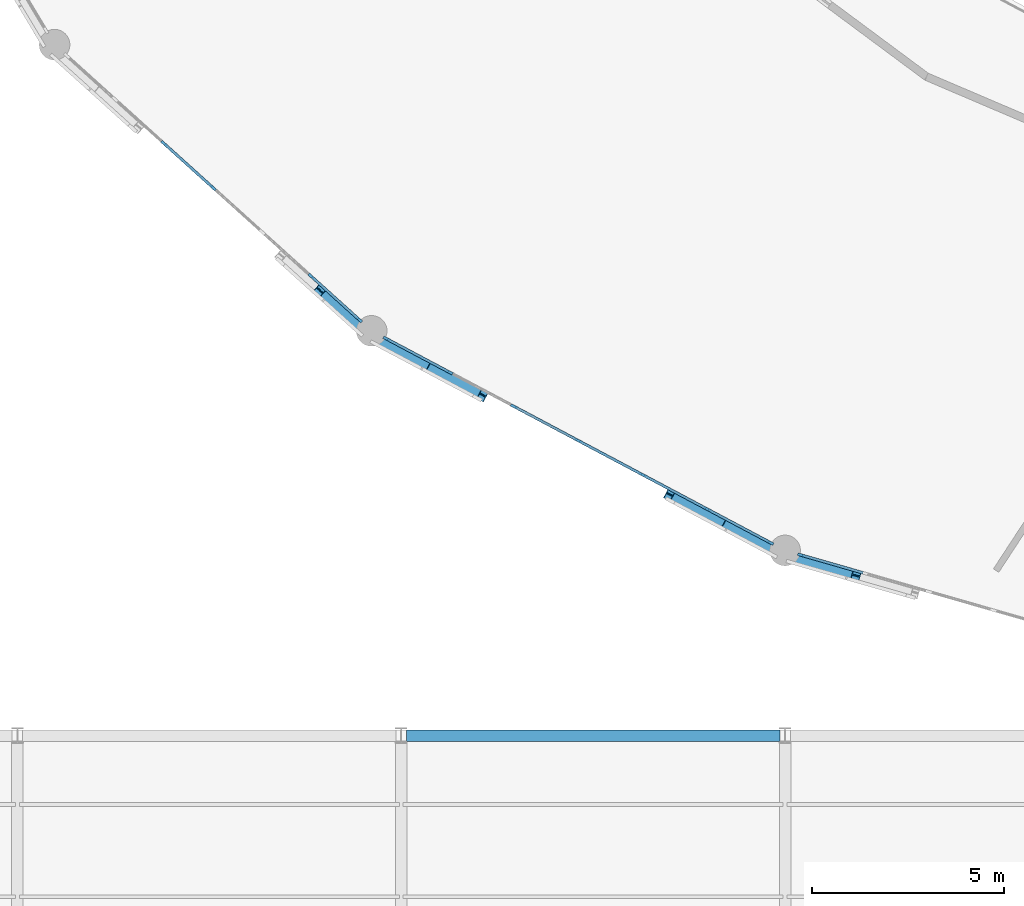
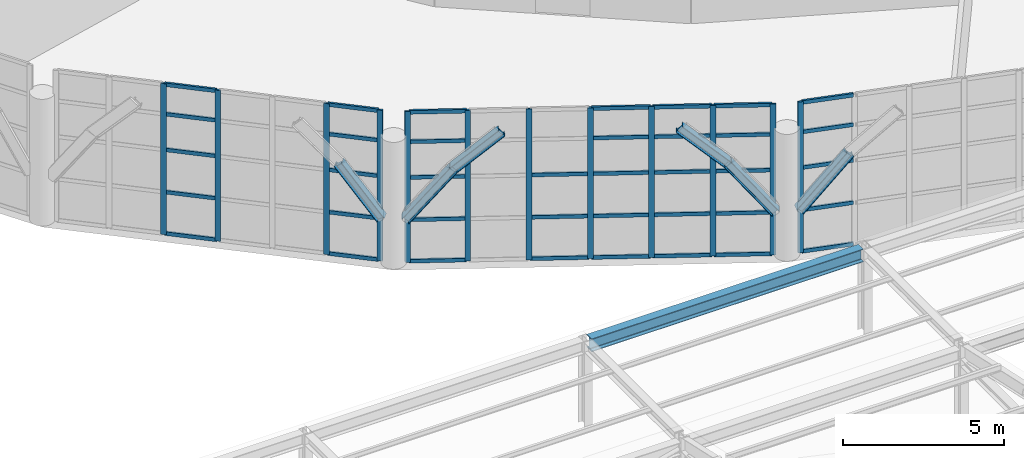
# One storey, part 19 of 109: 50 members, 7 beams, 3 elements without a shape of their own.
"""IFC4 building model written with IfcOpenShell, lengths in metres."""

from ifc_helpers import new_model, si_unit, direction, frame, origin, origin_2d, place, context, subcontext, project, spatial, rectangle, i_section, extrude, material, layer, layer_set, material_profile, profile_set, type_object, element, aggregate, save


model = new_model("IFC4")

# Units and contexts
model_context = context("Model", 3, precision=1e-05, world=origin(), true_north=direction((0.0, 1.0)))
body_context = subcontext(model_context, "Body", "Model", "MODEL_VIEW")
ifc_project = project(units=[si_unit("LENGTHUNIT", "METRE"), si_unit("AREAUNIT", "SQUARE_METRE"), si_unit("VOLUMEUNIT", "CUBIC_METRE"), si_unit("PLANEANGLEUNIT", "RADIAN"), si_unit("MASSUNIT", "GRAM", prefix="KILO")], contexts=[model_context])

# Site, building, storey
site_placement = place(None, origin())
site = spatial("IfcSite", under=ifc_project, at=site_placement, CompositionType="ELEMENT")
building_placement = place(site_placement, origin())
building = spatial("IfcBuilding", under=site, at=building_placement, Name="Kivolera Central Railway Station", CompositionType="ELEMENT")
storey_placement = place(building_placement, frame((0.0, 0.0, 9.60009765625)))
storey = spatial("IfcBuildingStorey", under=building, at=storey_placement, Name="L02", CompositionType="ELEMENT", Elevation=9.60009765625)

# Beams
ifc_material_1 = material(Name="Steel S355", Category="steel")
ifc_material_profile_1 = material_profile(ifc_material_1, i_section(OverallWidth=0.300048828125, OverallDepth=0.300048828125, WebThickness=0.010986328125, FlangeThickness=0.01904296875, FilletRadius=0.027099609375, at=origin_2d()), Name="HEB 300")
ifc_profile_set_1 = profile_set([ifc_material_profile_1], Name="Steel S355")
beam_type_1 = type_object("IfcBeamType", Name="BM-LANT-ARCH", PredefinedType="SPANDREL", material=ifc_profile_set_1)
beam_1_placement = place(storey_placement, frame((25.8798828125, 65.60009765625, 3.599853515625), z_axis=(0.431185404632, -0.388705114828, -0.814240431653), x_axis=(0.669571929078, 0.742747219309, 0.0)))
element("IfcBeam", 1, at=beam_1_placement, inside=storey, type_object=beam_type_1, Name="Oval Lantern Structural Arch Rib 15.6", PredefinedType="SPANDREL", context=body_context, shape_type="SweptSolid", body=[
    extrude(i_section(OverallWidth=0.300048828125, OverallDepth=0.300048828125, WebThickness=0.010986328125, FlangeThickness=0.01904296875, FilletRadius=0.027099609375, at=origin_2d()), origin(), (0.0, 0.0, 1.0), 2.333251953125),
])
beam_2_placement = place(storey_placement, frame((27.487060546875, 64.27099609375, 1.699951171875), z_axis=(0.545793526842, -0.289668648918, 0.786257909271), x_axis=(0.468796526023, 0.883306185413, 0.0)))
element("IfcBeam", 2, at=beam_2_placement, inside=storey, type_object=beam_type_1, Name="Oval Lantern Structural Arch Rib 16.1", PredefinedType="SPANDREL", context=body_context, shape_type="SweptSolid", body=[
    extrude(i_section(OverallWidth=0.300048828125, OverallDepth=0.300048828125, WebThickness=0.010986328125, FlangeThickness=0.01904296875, FilletRadius=0.027099609375, at=origin_2d()), origin(), (0.0, 0.0, 1.0), 2.41650390625),
])
beam_3_placement = place(storey_placement, frame((28.805908203125, 63.571044921875, 3.599853515625), z_axis=(0.652784182999, -0.346644240166, 0.673580419242), x_axis=(0.468999731448, 0.883198308367, 0.0)))
element("IfcBeam", 3, at=beam_3_placement, inside=storey, type_object=beam_type_1, Name="Oval Lantern Structural Arch Rib 16.2", PredefinedType="SPANDREL", context=body_context, shape_type="SweptSolid", body=[
    extrude(i_section(OverallWidth=0.300048828125, OverallDepth=0.300048828125, WebThickness=0.010986328125, FlangeThickness=0.01904296875, FilletRadius=0.027099609375, at=origin_2d()), origin(), (0.0, 0.0, 1.0), 2.019287109375),
])
beam_4_placement = place(storey_placement, frame((34.992919921875, 60.283935546875, 4.9599609375), z_axis=(0.65306159566, -0.346534813022, -0.673367786308), x_axis=(0.468728824497, 0.883342113275, 0.0)))
element("IfcBeam", 4, at=beam_4_placement, inside=storey, type_object=beam_type_1, Name="Oval Lantern Structural Arch Rib 16.5", PredefinedType="SPANDREL", context=body_context, shape_type="SweptSolid", body=[
    extrude(i_section(OverallWidth=0.300048828125, OverallDepth=0.300048828125, WebThickness=0.010986328125, FlangeThickness=0.01904296875, FilletRadius=0.027099609375, at=origin_2d()), origin(), (0.0, 0.0, 1.0), 2.019775390625),
])
beam_5_placement = place(storey_placement, frame((36.31201171875, 59.583984375, 3.599853515625), z_axis=(0.545509681166, -0.289732540923, -0.786431333611), x_axis=(0.469067500221, 0.88316231817, 0.0)))
element("IfcBeam", 5, at=beam_5_placement, inside=storey, type_object=beam_type_1, Name="Oval Lantern Structural Arch Rib 16.6", PredefinedType="SPANDREL", context=body_context, shape_type="SweptSolid", body=[
    extrude(i_section(OverallWidth=0.300048828125, OverallDepth=0.300048828125, WebThickness=0.010986328125, FlangeThickness=0.01904296875, FilletRadius=0.027099609375, at=origin_2d()), origin(), (0.0, 0.0, 1.0), 2.415771484375),
])
beam_6_placement = place(storey_placement, frame((38.30810546875, 58.610107421875, 1.699951171875), z_axis=(0.620136976598, -0.177813183125, 0.764076306505), x_axis=(0.275625562891, 0.961265077427, 0.0)))
element("IfcBeam", 6, at=beam_6_placement, inside=storey, type_object=beam_type_1, Name="Oval Lantern Structural Arch Rib 17.1", PredefinedType="SPANDREL", context=body_context, shape_type="SweptSolid", body=[
    extrude(i_section(OverallWidth=0.300048828125, OverallDepth=0.300048828125, WebThickness=0.010986328125, FlangeThickness=0.01904296875, FilletRadius=0.027099609375, at=origin_2d()), origin(), (0.0, 0.0, 1.0), 2.486572265625),
])
ifc_material_profile_2 = material_profile(ifc_material_1, i_section(OverallWidth=0.300048828125, OverallDepth=0.489990234375, WebThickness=0.011962890625, FlangeThickness=0.02294921875, FilletRadius=0.027099609375, at=origin_2d()), Name="HEA 500")
ifc_profile_set_2 = profile_set([ifc_material_profile_2], Name="Steel S355")
beam_type_2 = type_object("IfcBeamType", Name="BM-SHD-HEA500", PredefinedType="BEAM", material=ifc_profile_set_2)
beam_7_placement = place(storey_placement, frame((28.136962890625, 54.0, 3.0048828125), z_axis=(1.0, 0.0, 0.0), x_axis=(0.0, 1.0, 0.0)))
element("IfcBeam", 7, at=beam_7_placement, inside=storey, type_object=beam_type_2, Name="Train Shed Eave Girder E:3-4", PredefinedType="BEAM", context=body_context, shape_type="SweptSolid", body=[
    extrude(i_section(OverallWidth=0.300048828125, OverallDepth=0.489990234375, WebThickness=0.011962890625, FlangeThickness=0.02294921875, FilletRadius=0.027099609375, at=origin_2d()), origin(), (0.0, 0.0, 1.0), 9.72607421875),
])

# Curtain wall, members
ifc_material_2 = material(Name="Anodised aluminium", Category="aluminium")
ifc_layer_1 = layer(ifc_material_2, 0.179931640625, Name="Anodised aluminium")
ifc_layer_set_1 = layer_set([ifc_layer_1], Name="Anodised aluminium")
curtain_wall_type_1 = type_object("IfcCurtainWallType", Name="CW-SYS-06", PredefinedType="NOTDEFINED", material=ifc_layer_set_1)
curtain_wall_1_placement = place(storey_placement, origin())
curtain_wall_1 = element("IfcCurtainWall", 8, at=curtain_wall_1_placement, inside=storey, type_object=curtain_wall_type_1, Name="L02 Curtain Wall CW-L02-OVL-14", PredefinedType="NOTDEFINED")
ifc_material_profile_3 = material_profile(ifc_material_2, rectangle(XDim=0.070068359375, YDim=0.179931640625, at=origin_2d()), Name="ALU MULL 70x180")
ifc_profile_set_3 = profile_set([ifc_material_profile_3], Name="Anodised aluminium")
member_type_1 = type_object("IfcMemberType", Name="CWM-MUL-1", PredefinedType="MULLION", material=ifc_profile_set_3)
member_1_placement = place(storey_placement, frame((26.906982421875, 64.83544921875, -0.005126953125), z_axis=(0.0, 0.0, 1.0), x_axis=(-0.66992157428, -0.742431871833, 0.0)))
member_1 = element("IfcMember", 9, at=member_1_placement, type_object=member_type_1, Name="CW-06 mullion 1", PredefinedType="MULLION", context=body_context, shape_type="SweptSolid", body=[
    extrude(rectangle(XDim=0.070068359375, YDim=0.179931640625, at=origin_2d()), origin(), (0.0, 0.0, 1.0), 5.705078125),
])
member_2_placement = place(storey_placement, frame((25.65478515625, 65.96533203125, -0.005126953125), z_axis=(0.0, 0.0, 1.0), x_axis=(-0.66992157428, -0.742431871833, 0.0)))
member_2 = element("IfcMember", 10, at=member_2_placement, type_object=member_type_1, Name="CW-06 mullion 2", PredefinedType="MULLION", context=body_context, shape_type="SweptSolid", body=[
    extrude(rectangle(XDim=0.070068359375, YDim=0.179931640625, at=origin_2d()), origin(), (0.0, 0.0, 1.0), 5.705078125),
])
member_3_placement = place(storey_placement, frame((23.098388671875, 68.27197265625, -0.005126953125), z_axis=(0.0, 0.0, 1.0), x_axis=(-0.66992157428, -0.742431871833, 0.0)))
member_3 = element("IfcMember", 11, at=member_3_placement, type_object=member_type_1, Name="CW-06 mullion 4", PredefinedType="MULLION", context=body_context, shape_type="SweptSolid", body=[
    extrude(rectangle(XDim=0.070068359375, YDim=0.179931640625, at=origin_2d()), origin(), (0.0, 0.0, 1.0), 5.705078125),
])
member_4_placement = place(storey_placement, frame((21.8203125, 69.42529296875, -0.005126953125), z_axis=(0.0, 0.0, 1.0), x_axis=(-0.66992157428, -0.742431871833, 0.0)))
member_4 = element("IfcMember", 12, at=member_4_placement, type_object=member_type_1, Name="CW-06 mullion 5", PredefinedType="MULLION", context=body_context, shape_type="SweptSolid", body=[
    extrude(rectangle(XDim=0.070068359375, YDim=0.179931640625, at=origin_2d()), origin(), (0.0, 0.0, 1.0), 5.705078125),
])

ifc_layer_2 = layer(ifc_material_2, 0.179931640625, Name="Anodised aluminium")
ifc_layer_set_2 = layer_set([ifc_layer_2], Name="Anodised aluminium")
curtain_wall_type_2 = type_object("IfcCurtainWallType", Name="CW-SYS-09", PredefinedType="NOTDEFINED", material=ifc_layer_set_2)
curtain_wall_2_placement = place(storey_placement, origin())
curtain_wall_2 = element("IfcCurtainWall", 13, at=curtain_wall_2_placement, inside=storey, type_object=curtain_wall_type_2, Name="L02 Curtain Wall CW-L02-OVL-15", PredefinedType="NOTDEFINED")
member_5_placement = place(storey_placement, frame((37.6162109375, 59.02734375, -0.005126953125), z_axis=(0.0, 0.0, 1.0), x_axis=(-0.469052563023, -0.883170251493, 0.0)))
member_5 = element("IfcMember", 14, at=member_5_placement, type_object=member_type_1, Name="CW-09 mullion 1", PredefinedType="MULLION", context=body_context, shape_type="SweptSolid", body=[
    extrude(rectangle(XDim=0.070068359375, YDim=0.179931640625, at=origin_2d()), origin(), (0.0, 0.0, 1.0), 5.705078125),
])
member_6_placement = place(storey_placement, frame((35.9697265625, 59.90185546875, -0.005126953125), z_axis=(0.0, 0.0, 1.0), x_axis=(-0.469052563023, -0.883170251493, 0.0)))
member_6 = element("IfcMember", 15, at=member_6_placement, type_object=member_type_1, Name="CW-09 mullion 2", PredefinedType="MULLION", context=body_context, shape_type="SweptSolid", body=[
    extrude(rectangle(XDim=0.070068359375, YDim=0.179931640625, at=origin_2d()), origin(), (0.0, 0.0, 1.0), 5.705078125),
])
member_7_placement = place(storey_placement, frame((34.292236328125, 60.792724609375, -0.005126953125), z_axis=(0.0, 0.0, 1.0), x_axis=(-0.469052563023, -0.883170251493, 0.0)))
member_7 = element("IfcMember", 16, at=member_7_placement, type_object=member_type_1, Name="CW-09 mullion 3", PredefinedType="MULLION", context=body_context, shape_type="SweptSolid", body=[
    extrude(rectangle(XDim=0.070068359375, YDim=0.179931640625, at=origin_2d()), origin(), (0.0, 0.0, 1.0), 5.705078125),
])
member_8_placement = place(storey_placement, frame((32.614990234375, 61.68359375, -0.005126953125), z_axis=(0.0, 0.0, 1.0), x_axis=(-0.469052563023, -0.883170251493, 0.0)))
member_8 = element("IfcMember", 17, at=member_8_placement, type_object=member_type_1, Name="CW-09 mullion 4", PredefinedType="MULLION", context=body_context, shape_type="SweptSolid", body=[
    extrude(rectangle(XDim=0.070068359375, YDim=0.179931640625, at=origin_2d()), origin(), (0.0, 0.0, 1.0), 5.705078125),
])
member_9_placement = place(storey_placement, frame((30.937744140625, 62.57421875, -0.005126953125), z_axis=(0.0, 0.0, 1.0), x_axis=(-0.469052563023, -0.883170251493, 0.0)))
member_9 = element("IfcMember", 18, at=member_9_placement, type_object=member_type_1, Name="CW-09 mullion 5", PredefinedType="MULLION", context=body_context, shape_type="SweptSolid", body=[
    extrude(rectangle(XDim=0.070068359375, YDim=0.179931640625, at=origin_2d()), origin(), (0.0, 0.0, 1.0), 5.705078125),
])
member_10_placement = place(storey_placement, frame((29.26025390625, 63.465087890625, -0.005126953125), z_axis=(0.0, 0.0, 1.0), x_axis=(-0.469052563023, -0.883170251493, 0.0)))
member_10 = element("IfcMember", 19, at=member_10_placement, type_object=member_type_1, Name="CW-09 mullion 6", PredefinedType="MULLION", context=body_context, shape_type="SweptSolid", body=[
    extrude(rectangle(XDim=0.070068359375, YDim=0.179931640625, at=origin_2d()), origin(), (0.0, 0.0, 1.0), 5.705078125),
])
member_11_placement = place(storey_placement, frame((27.614013671875, 64.339599609375, -0.005126953125), z_axis=(0.0, 0.0, 1.0), x_axis=(-0.469052563023, -0.883170251493, 0.0)))
member_11 = element("IfcMember", 20, at=member_11_placement, type_object=member_type_1, Name="CW-09 mullion 7", PredefinedType="MULLION", context=body_context, shape_type="SweptSolid", body=[
    extrude(rectangle(XDim=0.070068359375, YDim=0.179931640625, at=origin_2d()), origin(), (0.0, 0.0, 1.0), 5.705078125),
])

# Curtain wall, member
ifc_layer_3 = layer(ifc_material_2, 0.179931640625, Name="Anodised aluminium")
ifc_layer_set_3 = layer_set([ifc_layer_3], Name="Anodised aluminium")
curtain_wall_type_3 = type_object("IfcCurtainWallType", Name="CW-SYS-11", PredefinedType="NOTDEFINED", material=ifc_layer_set_3)
curtain_wall_3_placement = place(storey_placement, origin())
curtain_wall_3 = element("IfcCurtainWall", 21, at=curtain_wall_3_placement, inside=storey, type_object=curtain_wall_type_3, Name="L02 Curtain Wall CW-L02-OVL-16", PredefinedType="NOTDEFINED")
member_12_placement = place(storey_placement, frame((38.418701171875, 58.703369140625, -0.005126953125), z_axis=(0.0, 0.0, 1.0), x_axis=(-0.27569168989, -0.961246114232, 0.0)))
member_12 = element("IfcMember", 22, at=member_12_placement, type_object=member_type_1, Name="CW-11 mullion 8", PredefinedType="MULLION", context=body_context, shape_type="SweptSolid", body=[
    extrude(rectangle(XDim=0.070068359375, YDim=0.179931640625, at=origin_2d()), origin(), (0.0, 0.0, 1.0), 5.705078125),
])

# Member
ifc_material_profile_4 = material_profile(ifc_material_2, rectangle(XDim=0.070068359375, YDim=0.139892578125, at=origin_2d()), Name="ALU TRAN 70x140")
ifc_profile_set_4 = profile_set([ifc_material_profile_4], Name="Anodised aluminium")
member_type_2 = type_object("IfcMemberType", Name="CWM-TRN-1", PredefinedType="USERDEFINED", material=ifc_profile_set_4)
member_13_placement = place(storey_placement, frame((26.881103515625, 64.85888671875, 0.034912109375), z_axis=(-0.742422429893, 0.66993203804, 0.0), x_axis=(-0.66993203804, -0.742422429893, 0.0)))
member_13 = element("IfcMember", 23, at=member_13_placement, type_object=member_type_2, Name="CW-06 transom 1.1", ObjectType="TRANSOM", PredefinedType="USERDEFINED", context=body_context, shape_type="SweptSolid", body=[
    extrude(rectangle(XDim=0.070068359375, YDim=0.139892578125, at=origin_2d()), origin(), (0.0, 0.0, 1.0), 1.61669921875),
])

member_14_placement = place(storey_placement, frame((26.881103515625, 64.85888671875, 1.599853515625), z_axis=(-0.742422429893, 0.66993203804, 0.0), x_axis=(-0.66993203804, -0.742422429893, 0.0)))
member_14 = element("IfcMember", 24, at=member_14_placement, type_object=member_type_2, Name="CW-06 transom 1.2", ObjectType="TRANSOM", PredefinedType="USERDEFINED", context=body_context, shape_type="SweptSolid", body=[
    extrude(rectangle(XDim=0.070068359375, YDim=0.139892578125, at=origin_2d()), origin(), (0.0, 0.0, 1.0), 1.61669921875),
])

member_15_placement = place(storey_placement, frame((26.881103515625, 64.85888671875, 3.199951171875), z_axis=(-0.742422429893, 0.66993203804, 0.0), x_axis=(-0.66993203804, -0.742422429893, 0.0)))
member_15 = element("IfcMember", 25, at=member_15_placement, type_object=member_type_2, Name="CW-06 transom 1.3", ObjectType="TRANSOM", PredefinedType="USERDEFINED", context=body_context, shape_type="SweptSolid", body=[
    extrude(rectangle(XDim=0.070068359375, YDim=0.139892578125, at=origin_2d()), origin(), (0.0, 0.0, 1.0), 1.61669921875),
])

member_16_placement = place(storey_placement, frame((26.881103515625, 64.85888671875, 4.5498046875), z_axis=(-0.742422429893, 0.66993203804, 0.0), x_axis=(-0.66993203804, -0.742422429893, 0.0)))
member_16 = element("IfcMember", 26, at=member_16_placement, type_object=member_type_2, Name="CW-06 transom 1.4", ObjectType="TRANSOM", PredefinedType="USERDEFINED", context=body_context, shape_type="SweptSolid", body=[
    extrude(rectangle(XDim=0.070068359375, YDim=0.139892578125, at=origin_2d()), origin(), (0.0, 0.0, 1.0), 1.61669921875),
])

member_17_placement = place(storey_placement, frame((26.881103515625, 64.85888671875, 5.664794921875), z_axis=(-0.742422429893, 0.66993203804, 0.0), x_axis=(-0.66993203804, -0.742422429893, 0.0)))
member_17 = element("IfcMember", 27, at=member_17_placement, type_object=member_type_2, Name="CW-06 transom 1.5", ObjectType="TRANSOM", PredefinedType="USERDEFINED", context=body_context, shape_type="SweptSolid", body=[
    extrude(rectangle(XDim=0.070068359375, YDim=0.139892578125, at=origin_2d()), origin(), (0.0, 0.0, 1.0), 1.61669921875),
])

member_18_placement = place(storey_placement, frame((23.072509765625, 68.29541015625, 0.034912109375), z_axis=(-0.742396704206, 0.669960546289, 0.0), x_axis=(-0.669960546289, -0.742396704206, 0.0)))
member_18 = element("IfcMember", 28, at=member_18_placement, type_object=member_type_2, Name="CW-06 transom 4.1", ObjectType="TRANSOM", PredefinedType="USERDEFINED", context=body_context, shape_type="SweptSolid", body=[
    extrude(rectangle(XDim=0.070068359375, YDim=0.139892578125, at=origin_2d()), origin(), (0.0, 0.0, 1.0), 1.651611328125),
])

member_19_placement = place(storey_placement, frame((23.072509765625, 68.29541015625, 1.599853515625), z_axis=(-0.742396704206, 0.669960546289, 0.0), x_axis=(-0.669960546289, -0.742396704206, 0.0)))
member_19 = element("IfcMember", 29, at=member_19_placement, type_object=member_type_2, Name="CW-06 transom 4.2", ObjectType="TRANSOM", PredefinedType="USERDEFINED", context=body_context, shape_type="SweptSolid", body=[
    extrude(rectangle(XDim=0.070068359375, YDim=0.139892578125, at=origin_2d()), origin(), (0.0, 0.0, 1.0), 1.651611328125),
])

member_20_placement = place(storey_placement, frame((23.072509765625, 68.29541015625, 3.199951171875), z_axis=(-0.742396704206, 0.669960546289, 0.0), x_axis=(-0.669960546289, -0.742396704206, 0.0)))
member_20 = element("IfcMember", 30, at=member_20_placement, type_object=member_type_2, Name="CW-06 transom 4.3", ObjectType="TRANSOM", PredefinedType="USERDEFINED", context=body_context, shape_type="SweptSolid", body=[
    extrude(rectangle(XDim=0.070068359375, YDim=0.139892578125, at=origin_2d()), origin(), (0.0, 0.0, 1.0), 1.651611328125),
])

member_21_placement = place(storey_placement, frame((23.072509765625, 68.29541015625, 4.5498046875), z_axis=(-0.742396704206, 0.669960546289, 0.0), x_axis=(-0.669960546289, -0.742396704206, 0.0)))
member_21 = element("IfcMember", 31, at=member_21_placement, type_object=member_type_2, Name="CW-06 transom 4.4", ObjectType="TRANSOM", PredefinedType="USERDEFINED", context=body_context, shape_type="SweptSolid", body=[
    extrude(rectangle(XDim=0.070068359375, YDim=0.139892578125, at=origin_2d()), origin(), (0.0, 0.0, 1.0), 1.651611328125),
])

member_22_placement = place(storey_placement, frame((23.072509765625, 68.29541015625, 5.664794921875), z_axis=(-0.742396704206, 0.669960546289, 0.0), x_axis=(-0.669960546289, -0.742396704206, 0.0)))
member_22 = element("IfcMember", 32, at=member_22_placement, type_object=member_type_2, Name="CW-06 transom 4.5", ObjectType="TRANSOM", PredefinedType="USERDEFINED", context=body_context, shape_type="SweptSolid", body=[
    extrude(rectangle(XDim=0.070068359375, YDim=0.139892578125, at=origin_2d()), origin(), (0.0, 0.0, 1.0), 1.651611328125),
])

aggregate(curtain_wall_1, [member_1, member_2, member_3, member_4, member_13, member_14, member_15, member_16, member_17, member_18, member_19, member_20, member_21, member_22])

member_23_placement = place(storey_placement, frame((37.585205078125, 59.0439453125, 0.034912109375), z_axis=(-0.883191460259, 0.469012627255, 0.0), x_axis=(-0.469012627255, -0.883191460259, 0.0)))
member_23 = element("IfcMember", 33, at=member_23_placement, type_object=member_type_2, Name="CW-09 transom 1.1", ObjectType="TRANSOM", PredefinedType="USERDEFINED", context=body_context, shape_type="SweptSolid", body=[
    extrude(rectangle(XDim=0.070068359375, YDim=0.139892578125, at=origin_2d()), origin(), (0.0, 0.0, 1.0), 1.794189453125),
])

member_24_placement = place(storey_placement, frame((37.585205078125, 59.0439453125, 1.599853515625), z_axis=(-0.883191460259, 0.469012627255, 0.0), x_axis=(-0.469012627255, -0.883191460259, 0.0)))
member_24 = element("IfcMember", 34, at=member_24_placement, type_object=member_type_2, Name="CW-09 transom 1.2", ObjectType="TRANSOM", PredefinedType="USERDEFINED", context=body_context, shape_type="SweptSolid", body=[
    extrude(rectangle(XDim=0.070068359375, YDim=0.139892578125, at=origin_2d()), origin(), (0.0, 0.0, 1.0), 1.794189453125),
])

member_25_placement = place(storey_placement, frame((37.585205078125, 59.0439453125, 3.199951171875), z_axis=(-0.883191460259, 0.469012627255, 0.0), x_axis=(-0.469012627255, -0.883191460259, 0.0)))
member_25 = element("IfcMember", 35, at=member_25_placement, type_object=member_type_2, Name="CW-09 transom 1.3", ObjectType="TRANSOM", PredefinedType="USERDEFINED", context=body_context, shape_type="SweptSolid", body=[
    extrude(rectangle(XDim=0.070068359375, YDim=0.139892578125, at=origin_2d()), origin(), (0.0, 0.0, 1.0), 1.794189453125),
])

member_26_placement = place(storey_placement, frame((37.585205078125, 59.0439453125, 4.5498046875), z_axis=(-0.883191460259, 0.469012627255, 0.0), x_axis=(-0.469012627255, -0.883191460259, 0.0)))
member_26 = element("IfcMember", 36, at=member_26_placement, type_object=member_type_2, Name="CW-09 transom 1.4", ObjectType="TRANSOM", PredefinedType="USERDEFINED", context=body_context, shape_type="SweptSolid", body=[
    extrude(rectangle(XDim=0.070068359375, YDim=0.139892578125, at=origin_2d()), origin(), (0.0, 0.0, 1.0), 1.794189453125),
])

member_27_placement = place(storey_placement, frame((37.585205078125, 59.0439453125, 5.664794921875), z_axis=(-0.883191460259, 0.469012627255, 0.0), x_axis=(-0.469012627255, -0.883191460259, 0.0)))
member_27 = element("IfcMember", 37, at=member_27_placement, type_object=member_type_2, Name="CW-09 transom 1.5", ObjectType="TRANSOM", PredefinedType="USERDEFINED", context=body_context, shape_type="SweptSolid", body=[
    extrude(rectangle(XDim=0.070068359375, YDim=0.139892578125, at=origin_2d()), origin(), (0.0, 0.0, 1.0), 1.794189453125),
])

member_28_placement = place(storey_placement, frame((35.938720703125, 59.918212890625, 0.034912109375), z_axis=(-0.883131271136, 0.469125951042, 0.0), x_axis=(-0.469125951042, -0.883131271136, 0.0)))
member_28 = element("IfcMember", 38, at=member_28_placement, type_object=member_type_2, Name="CW-09 transom 2.1", ObjectType="TRANSOM", PredefinedType="USERDEFINED", context=body_context, shape_type="SweptSolid", body=[
    extrude(rectangle(XDim=0.070068359375, YDim=0.139892578125, at=origin_2d()), origin(), (0.0, 0.0, 1.0), 1.829345703125),
])

member_29_placement = place(storey_placement, frame((35.938720703125, 59.918212890625, 1.599853515625), z_axis=(-0.883131271136, 0.469125951042, 0.0), x_axis=(-0.469125951042, -0.883131271136, 0.0)))
member_29 = element("IfcMember", 39, at=member_29_placement, type_object=member_type_2, Name="CW-09 transom 2.2", ObjectType="TRANSOM", PredefinedType="USERDEFINED", context=body_context, shape_type="SweptSolid", body=[
    extrude(rectangle(XDim=0.070068359375, YDim=0.139892578125, at=origin_2d()), origin(), (0.0, 0.0, 1.0), 1.829345703125),
])

member_30_placement = place(storey_placement, frame((35.938720703125, 59.918212890625, 3.199951171875), z_axis=(-0.883131271136, 0.469125951042, 0.0), x_axis=(-0.469125951042, -0.883131271136, 0.0)))
member_30 = element("IfcMember", 40, at=member_30_placement, type_object=member_type_2, Name="CW-09 transom 2.3", ObjectType="TRANSOM", PredefinedType="USERDEFINED", context=body_context, shape_type="SweptSolid", body=[
    extrude(rectangle(XDim=0.070068359375, YDim=0.139892578125, at=origin_2d()), origin(), (0.0, 0.0, 1.0), 1.829345703125),
])

member_31_placement = place(storey_placement, frame((35.938720703125, 59.918212890625, 4.5498046875), z_axis=(-0.883131271136, 0.469125951042, 0.0), x_axis=(-0.469125951042, -0.883131271136, 0.0)))
member_31 = element("IfcMember", 41, at=member_31_placement, type_object=member_type_2, Name="CW-09 transom 2.4", ObjectType="TRANSOM", PredefinedType="USERDEFINED", context=body_context, shape_type="SweptSolid", body=[
    extrude(rectangle(XDim=0.070068359375, YDim=0.139892578125, at=origin_2d()), origin(), (0.0, 0.0, 1.0), 1.829345703125),
])

member_32_placement = place(storey_placement, frame((35.938720703125, 59.918212890625, 5.664794921875), z_axis=(-0.883131271136, 0.469125951042, 0.0), x_axis=(-0.469125951042, -0.883131271136, 0.0)))
member_32 = element("IfcMember", 42, at=member_32_placement, type_object=member_type_2, Name="CW-09 transom 2.5", ObjectType="TRANSOM", PredefinedType="USERDEFINED", context=body_context, shape_type="SweptSolid", body=[
    extrude(rectangle(XDim=0.070068359375, YDim=0.139892578125, at=origin_2d()), origin(), (0.0, 0.0, 1.0), 1.829345703125),
])

member_33_placement = place(storey_placement, frame((34.261474609375, 60.80908203125, 0.034912109375), z_axis=(-0.88318656257, 0.469021849913, 0.0), x_axis=(-0.469021849913, -0.88318656257, 0.0)))
member_33 = element("IfcMember", 43, at=member_33_placement, type_object=member_type_2, Name="CW-09 transom 3.1", ObjectType="TRANSOM", PredefinedType="USERDEFINED", context=body_context, shape_type="SweptSolid", body=[
    extrude(rectangle(XDim=0.070068359375, YDim=0.139892578125, at=origin_2d()), origin(), (0.0, 0.0, 1.0), 1.8291015625),
])

member_34_placement = place(storey_placement, frame((34.261474609375, 60.80908203125, 1.599853515625), z_axis=(-0.88318656257, 0.469021849913, 0.0), x_axis=(-0.469021849913, -0.88318656257, 0.0)))
member_34 = element("IfcMember", 44, at=member_34_placement, type_object=member_type_2, Name="CW-09 transom 3.2", ObjectType="TRANSOM", PredefinedType="USERDEFINED", context=body_context, shape_type="SweptSolid", body=[
    extrude(rectangle(XDim=0.070068359375, YDim=0.139892578125, at=origin_2d()), origin(), (0.0, 0.0, 1.0), 1.8291015625),
])

member_35_placement = place(storey_placement, frame((34.261474609375, 60.80908203125, 3.199951171875), z_axis=(-0.88318656257, 0.469021849913, 0.0), x_axis=(-0.469021849913, -0.88318656257, 0.0)))
member_35 = element("IfcMember", 45, at=member_35_placement, type_object=member_type_2, Name="CW-09 transom 3.3", ObjectType="TRANSOM", PredefinedType="USERDEFINED", context=body_context, shape_type="SweptSolid", body=[
    extrude(rectangle(XDim=0.070068359375, YDim=0.139892578125, at=origin_2d()), origin(), (0.0, 0.0, 1.0), 1.8291015625),
])

member_36_placement = place(storey_placement, frame((34.261474609375, 60.80908203125, 4.5498046875), z_axis=(-0.88318656257, 0.469021849913, 0.0), x_axis=(-0.469021849913, -0.88318656257, 0.0)))
member_36 = element("IfcMember", 46, at=member_36_placement, type_object=member_type_2, Name="CW-09 transom 3.4", ObjectType="TRANSOM", PredefinedType="USERDEFINED", context=body_context, shape_type="SweptSolid", body=[
    extrude(rectangle(XDim=0.070068359375, YDim=0.139892578125, at=origin_2d()), origin(), (0.0, 0.0, 1.0), 1.8291015625),
])

member_37_placement = place(storey_placement, frame((34.261474609375, 60.80908203125, 5.664794921875), z_axis=(-0.88318656257, 0.469021849913, 0.0), x_axis=(-0.469021849913, -0.88318656257, 0.0)))
member_37 = element("IfcMember", 47, at=member_37_placement, type_object=member_type_2, Name="CW-09 transom 3.5", ObjectType="TRANSOM", PredefinedType="USERDEFINED", context=body_context, shape_type="SweptSolid", body=[
    extrude(rectangle(XDim=0.070068359375, YDim=0.139892578125, at=origin_2d()), origin(), (0.0, 0.0, 1.0), 1.8291015625),
])

member_38_placement = place(storey_placement, frame((32.583984375, 61.699951171875, 0.034912109375), z_axis=(-0.88318656257, 0.469021849913, 0.0), x_axis=(-0.469021849913, -0.88318656257, 0.0)))
member_38 = element("IfcMember", 48, at=member_38_placement, type_object=member_type_2, Name="CW-09 transom 4.1", ObjectType="TRANSOM", PredefinedType="USERDEFINED", context=body_context, shape_type="SweptSolid", body=[
    extrude(rectangle(XDim=0.070068359375, YDim=0.139892578125, at=origin_2d()), origin(), (0.0, 0.0, 1.0), 1.8291015625),
])

member_39_placement = place(storey_placement, frame((32.583984375, 61.699951171875, 1.599853515625), z_axis=(-0.88318656257, 0.469021849913, 0.0), x_axis=(-0.469021849913, -0.88318656257, 0.0)))
member_39 = element("IfcMember", 49, at=member_39_placement, type_object=member_type_2, Name="CW-09 transom 4.2", ObjectType="TRANSOM", PredefinedType="USERDEFINED", context=body_context, shape_type="SweptSolid", body=[
    extrude(rectangle(XDim=0.070068359375, YDim=0.139892578125, at=origin_2d()), origin(), (0.0, 0.0, 1.0), 1.8291015625),
])

member_40_placement = place(storey_placement, frame((32.583984375, 61.699951171875, 3.199951171875), z_axis=(-0.88318656257, 0.469021849913, 0.0), x_axis=(-0.469021849913, -0.88318656257, 0.0)))
member_40 = element("IfcMember", 50, at=member_40_placement, type_object=member_type_2, Name="CW-09 transom 4.3", ObjectType="TRANSOM", PredefinedType="USERDEFINED", context=body_context, shape_type="SweptSolid", body=[
    extrude(rectangle(XDim=0.070068359375, YDim=0.139892578125, at=origin_2d()), origin(), (0.0, 0.0, 1.0), 1.8291015625),
])

member_41_placement = place(storey_placement, frame((29.2294921875, 63.481689453125, 0.034912109375), z_axis=(-0.883191460259, 0.469012627255, 0.0), x_axis=(-0.469012627255, -0.883191460259, 0.0)))
member_41 = element("IfcMember", 51, at=member_41_placement, type_object=member_type_2, Name="CW-09 transom 6.1", ObjectType="TRANSOM", PredefinedType="USERDEFINED", context=body_context, shape_type="SweptSolid", body=[
    extrude(rectangle(XDim=0.070068359375, YDim=0.139892578125, at=origin_2d()), origin(), (0.0, 0.0, 1.0), 1.794189453125),
])

member_42_placement = place(storey_placement, frame((29.2294921875, 63.481689453125, 1.599853515625), z_axis=(-0.883191460259, 0.469012627255, 0.0), x_axis=(-0.469012627255, -0.883191460259, 0.0)))
member_42 = element("IfcMember", 52, at=member_42_placement, type_object=member_type_2, Name="CW-09 transom 6.2", ObjectType="TRANSOM", PredefinedType="USERDEFINED", context=body_context, shape_type="SweptSolid", body=[
    extrude(rectangle(XDim=0.070068359375, YDim=0.139892578125, at=origin_2d()), origin(), (0.0, 0.0, 1.0), 1.794189453125),
])

member_43_placement = place(storey_placement, frame((29.2294921875, 63.481689453125, 3.199951171875), z_axis=(-0.883191460259, 0.469012627255, 0.0), x_axis=(-0.469012627255, -0.883191460259, 0.0)))
member_43 = element("IfcMember", 53, at=member_43_placement, type_object=member_type_2, Name="CW-09 transom 6.3", ObjectType="TRANSOM", PredefinedType="USERDEFINED", context=body_context, shape_type="SweptSolid", body=[
    extrude(rectangle(XDim=0.070068359375, YDim=0.139892578125, at=origin_2d()), origin(), (0.0, 0.0, 1.0), 1.794189453125),
])

member_44_placement = place(storey_placement, frame((29.2294921875, 63.481689453125, 4.5498046875), z_axis=(-0.883191460259, 0.469012627255, 0.0), x_axis=(-0.469012627255, -0.883191460259, 0.0)))
member_44 = element("IfcMember", 54, at=member_44_placement, type_object=member_type_2, Name="CW-09 transom 6.4", ObjectType="TRANSOM", PredefinedType="USERDEFINED", context=body_context, shape_type="SweptSolid", body=[
    extrude(rectangle(XDim=0.070068359375, YDim=0.139892578125, at=origin_2d()), origin(), (0.0, 0.0, 1.0), 1.794189453125),
])

member_45_placement = place(storey_placement, frame((29.2294921875, 63.481689453125, 5.664794921875), z_axis=(-0.883191460259, 0.469012627255, 0.0), x_axis=(-0.469012627255, -0.883191460259, 0.0)))
member_45 = element("IfcMember", 55, at=member_45_placement, type_object=member_type_2, Name="CW-09 transom 6.5", ObjectType="TRANSOM", PredefinedType="USERDEFINED", context=body_context, shape_type="SweptSolid", body=[
    extrude(rectangle(XDim=0.070068359375, YDim=0.139892578125, at=origin_2d()), origin(), (0.0, 0.0, 1.0), 1.794189453125),
])

aggregate(curtain_wall_2, [member_5, member_6, member_7, member_8, member_9, member_10, member_11, member_23, member_24, member_25, member_26, member_27, member_28, member_29, member_30, member_31, member_32, member_33, member_34, member_35, member_36, member_37, member_38, member_39, member_40, member_41, member_42, member_43, member_44, member_45])

member_46_placement = place(storey_placement, frame((40.032958984375, 58.240478515625, 0.034912109375), z_axis=(-0.961277023143, 0.275583897892, 0.0), x_axis=(-0.275583897892, -0.961277023143, 0.0)))
member_46 = element("IfcMember", 56, at=member_46_placement, type_object=member_type_2, Name="CW-11 transom 7.1", ObjectType="TRANSOM", PredefinedType="USERDEFINED", context=body_context, shape_type="SweptSolid", body=[
    extrude(rectangle(XDim=0.070068359375, YDim=0.139892578125, at=origin_2d()), origin(), (0.0, 0.0, 1.0), 1.644287109375),
])

member_47_placement = place(storey_placement, frame((40.032958984375, 58.240478515625, 1.599853515625), z_axis=(-0.961277023143, 0.275583897892, 0.0), x_axis=(-0.275583897892, -0.961277023143, 0.0)))
member_47 = element("IfcMember", 57, at=member_47_placement, type_object=member_type_2, Name="CW-11 transom 7.2", ObjectType="TRANSOM", PredefinedType="USERDEFINED", context=body_context, shape_type="SweptSolid", body=[
    extrude(rectangle(XDim=0.070068359375, YDim=0.139892578125, at=origin_2d()), origin(), (0.0, 0.0, 1.0), 1.644287109375),
])

member_48_placement = place(storey_placement, frame((40.032958984375, 58.240478515625, 3.199951171875), z_axis=(-0.961277023143, 0.275583897892, 0.0), x_axis=(-0.275583897892, -0.961277023143, 0.0)))
member_48 = element("IfcMember", 58, at=member_48_placement, type_object=member_type_2, Name="CW-11 transom 7.3", ObjectType="TRANSOM", PredefinedType="USERDEFINED", context=body_context, shape_type="SweptSolid", body=[
    extrude(rectangle(XDim=0.070068359375, YDim=0.139892578125, at=origin_2d()), origin(), (0.0, 0.0, 1.0), 1.644287109375),
])

member_49_placement = place(storey_placement, frame((40.032958984375, 58.240478515625, 4.5498046875), z_axis=(-0.961277023143, 0.275583897892, 0.0), x_axis=(-0.275583897892, -0.961277023143, 0.0)))
member_49 = element("IfcMember", 59, at=member_49_placement, type_object=member_type_2, Name="CW-11 transom 7.4", ObjectType="TRANSOM", PredefinedType="USERDEFINED", context=body_context, shape_type="SweptSolid", body=[
    extrude(rectangle(XDim=0.070068359375, YDim=0.139892578125, at=origin_2d()), origin(), (0.0, 0.0, 1.0), 1.644287109375),
])

member_50_placement = place(storey_placement, frame((40.032958984375, 58.240478515625, 5.664794921875), z_axis=(-0.961277023143, 0.275583897892, 0.0), x_axis=(-0.275583897892, -0.961277023143, 0.0)))
member_50 = element("IfcMember", 60, at=member_50_placement, type_object=member_type_2, Name="CW-11 transom 7.5", ObjectType="TRANSOM", PredefinedType="USERDEFINED", context=body_context, shape_type="SweptSolid", body=[
    extrude(rectangle(XDim=0.070068359375, YDim=0.139892578125, at=origin_2d()), origin(), (0.0, 0.0, 1.0), 1.644287109375),
])

aggregate(curtain_wall_3, [member_12, member_46, member_47, member_48, member_49, member_50])

save(model, "model.ifc")
